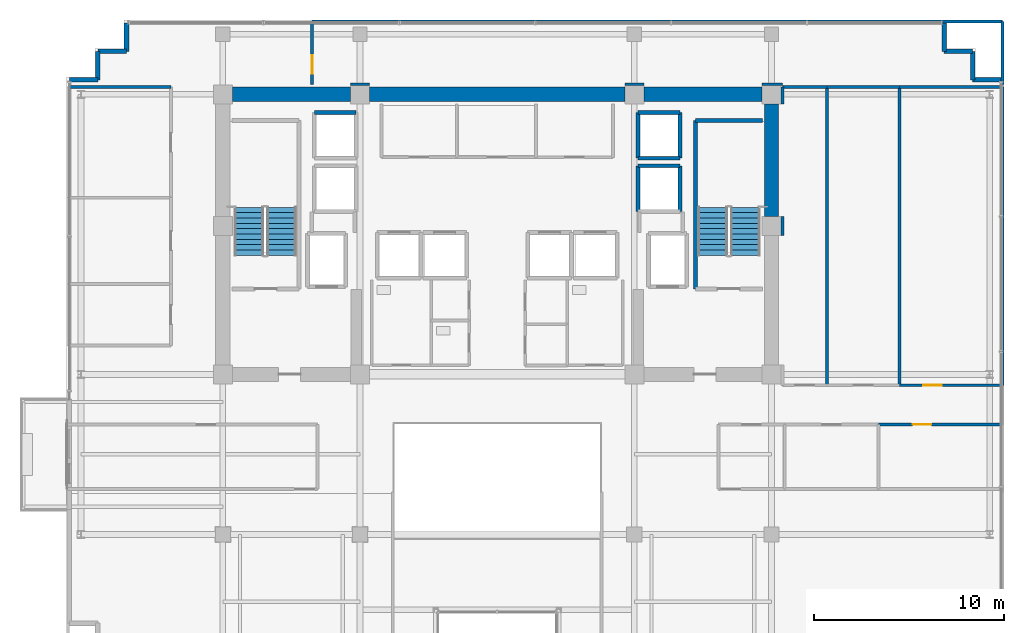
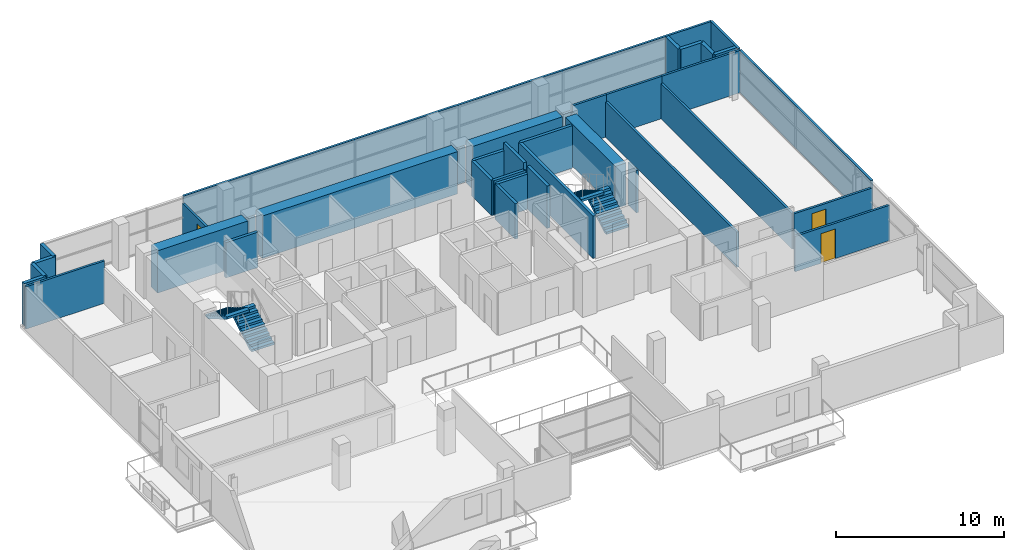
# One storey, part 18 of 22: 39 walls, 4 stair flights, 3 doors, 3 openings, 2 elements without a shape of their own.
"""IFC4 building model written with IfcOpenShell, lengths in metres."""

from ifc_helpers import new_model, si_unit, direction, frame, frame_2d, origin, place, context, subcontext, project, spatial, polyline, rectangle, outline, extrude, source, transform, mapped, material, layer, layer_set, type_object, element, fill, aggregate, save


model = new_model("IFC4")

# Units and contexts
model_context = context("Model", 3, precision=1e-05, world=origin(), true_north=direction((0.0, 1.0)))
body_context = subcontext(model_context, "Body", "Model", "MODEL_VIEW")
ifc_project = project(units=[si_unit("LENGTHUNIT", "METRE"), si_unit("AREAUNIT", "SQUARE_METRE"), si_unit("VOLUMEUNIT", "CUBIC_METRE"), si_unit("PLANEANGLEUNIT", "RADIAN"), si_unit("MASSUNIT", "GRAM", prefix="KILO")], contexts=[model_context])

# Site, building, storey
site_placement = place(None, origin())
site = spatial("IfcSite", under=ifc_project, at=site_placement, CompositionType="ELEMENT")
building_placement = place(site_placement, origin())
building = spatial("IfcBuilding", under=site, at=building_placement, Name="Zarnakvel Exchange Tower", CompositionType="ELEMENT")
storey_placement = place(building_placement, frame((0.0, 0.0, 192.39990234375)))
storey = spatial("IfcBuildingStorey", under=building, at=storey_placement, Name="L54", CompositionType="ELEMENT", Elevation=192.39990234375)

# Walls
ifc_material_1 = material(Name="Concrete C60/75", Category="concrete")
ifc_layer_1 = layer(ifc_material_1, 0.75)
ifc_layer_set_1 = layer_set([ifc_layer_1], Name="Concrete C60/75")
wall_type_1 = type_object("IfcWallType", Name="CW-C3", PredefinedType="SHEAR", material=ifc_layer_set_1)
wall_1_placement = place(storey_placement, frame((-13.89990234375, 13.5, 0.0), z_axis=(0.0, 0.0, 1.0), x_axis=(1.0, 0.0, 0.0)))
element("IfcWall", 1, at=wall_1_placement, inside=storey, type_object=wall_type_1, Name="L54 Rear Core Shear Wall N1 (CW-C3)", PredefinedType="SHEAR", context=body_context, shape_type="SweptSolid", body=[
    extrude(rectangle(XDim=6.199951171875, YDim=0.75, at=frame_2d((3.10009765625, 0.0))), origin(), (0.0, 0.0, 1.0), 3.0751953125),
])
wall_2_placement = place(storey_placement, frame((-6.699951171875, 13.5, 0.0), z_axis=(0.0, 0.0, 1.0), x_axis=(1.0, 0.0, 0.0)))
element("IfcWall", 2, at=wall_2_placement, inside=storey, type_object=wall_type_1, Name="L54 Rear Core Shear Wall N2 (CW-C3)", PredefinedType="SHEAR", context=body_context, shape_type="SweptSolid", body=[
    extrude(rectangle(XDim=13.39990234375, YDim=0.75, at=frame_2d((6.699951171875, 0.0))), origin(), (0.0, 0.0, 1.0), 3.0751953125),
])
wall_3_placement = place(storey_placement, frame((7.699951171875, 13.5, 0.0), z_axis=(0.0, 0.0, 1.0), x_axis=(1.0, 0.0, 0.0)))
element("IfcWall", 3, at=wall_3_placement, inside=storey, type_object=wall_type_1, Name="L54 Rear Core Shear Wall N3 (CW-C3)", PredefinedType="SHEAR", context=body_context, shape_type="SweptSolid", body=[
    extrude(rectangle(XDim=6.199951171875, YDim=0.75, at=frame_2d((3.10009765625, 0.0))), origin(), (0.0, 0.0, 1.0), 3.0751953125),
])
wall_4_placement = place(storey_placement, frame((14.39990234375, 7.10009765625, 0.0), z_axis=(0.0, 0.0, 1.0), x_axis=(0.0, 1.0, 0.0)))
element("IfcWall", 4, at=wall_4_placement, inside=storey, type_object=wall_type_1, Name="L54 Rear Core Shear Wall E2 (CW-C3)", PredefinedType="SHEAR", context=body_context, shape_type="SweptSolid", body=[
    extrude(rectangle(XDim=5.89990234375, YDim=0.75, at=frame_2d((2.949951171875, 0.0))), origin(), (0.0, 0.0, 1.0), 3.0751953125),
])
ifc_material_2 = material(Name="Precast concrete C40/50", Category="concrete")
ifc_layer_2 = layer(ifc_material_2, 0.239990234375)
ifc_layer_set_2 = layer_set([ifc_layer_2], Name="Precast concrete C40/50")
wall_type_2 = type_object("IfcWallType", Name="EW-02", PredefinedType="SOLIDWALL", material=ifc_layer_set_2)
for number, where, z_axis, x_axis, name in (
    (5, (-20.9599609375, 14.260009765625, 0.0), (0.0, 0.0, 1.0), (-1.0, 0.0, 0.0), "L54 Exterior Precast Spandrel Wall EWC-L54-03 (EW-02)"),
    (6, (-20.9599609375, 15.760009765625, 0.0), (0.0, 0.0, 1.0), (0.0, -1.0, 0.0), "L54 Exterior Precast Spandrel Wall EWC-L54-04 (EW-02)"),
    (7, (-19.4599609375, 15.760009765625, 0.0), (0.0, 0.0, 1.0), (-1.0, 0.0, 0.0), "L54 Exterior Precast Spandrel Wall EWC-L54-05 (EW-02)"),
    (8, (-19.4599609375, 17.260009765625, 0.0), (0.0, 0.0, 1.0), (0.0, -1.0, 0.0), "L54 Exterior Precast Spandrel Wall EWC-L54-06 (EW-02)"),
    (9, (23.4599609375, 15.760009765625, 0.0), (0.0, 0.0, 1.0), (0.0, 1.0, 0.0), "L54 Exterior Precast Spandrel Wall EWC-L54-07 (EW-02)"),
    (10, (24.9599609375, 15.760009765625, 0.0), (0.0, 0.0, 1.0), (-1.0, 0.0, 0.0), "L54 Exterior Precast Spandrel Wall EWC-L54-08 (EW-02)"),
    (11, (24.9599609375, 14.260009765625, 0.0), (0.0, 0.0, 1.0), (0.0, 1.0, 0.0), "L54 Exterior Precast Spandrel Wall EWC-L54-09 (EW-02)"),
    (12, (26.4599609375, 14.260009765625, 0.0), (0.0, 0.0, 1.0), (-1.0, 0.0, 0.0), "L54 Exterior Precast Spandrel Wall EWC-L54-10 (EW-02)"),
):
    element("IfcWall", number, at=place(storey_placement, frame(where, z_axis=z_axis, x_axis=x_axis)), inside=storey, type_object=wall_type_2, Name=name, PredefinedType="SOLIDWALL", context=body_context, shape_type="SweptSolid", body=[
        extrude(rectangle(XDim=1.5, YDim=0.239990234375, at=frame_2d((0.75, 0.0))), origin(), (0.0, 0.0, 1.0), 3.0751953125),
    ])

# Wall, opening, door
ifc_material_3 = material(Name="Fire-Rated Gypsum Stud Partition", Category="gypsum")
ifc_layer_3 = layer(ifc_material_3, 0.14990234375)
ifc_layer_set_3 = layer_set([ifc_layer_3], Name="Fire-Rated Gypsum Stud Partition")
wall_type_3 = type_object("IfcWallType", Name="PT-01", PredefinedType="PARTITIONING", material=ifc_layer_set_3)
wall_5_placement = place(storey_placement, frame((20.01708984375, -3.830078125, 0.0), z_axis=(0.0, 0.0, 1.0), x_axis=(1.0, 0.0, 0.0)))
wall_5 = element("IfcWall", 13, at=wall_5_placement, inside=storey, type_object=wall_type_3, Name="L54 Partition Wall PWALL-L54-048 (PT-01)", PredefinedType="PARTITIONING", context=body_context, shape_type="SweptSolid", body=[
    extrude(rectangle(XDim=6.512939453125, YDim=0.14990234375, at=frame_2d((3.25634765625, 0.0))), origin(), (0.0, 0.0, 1.0), 2.565185546875),
])
opening_1_placement = place(wall_5_placement, frame((1.7919921875, 0.0, 0.0)))
opening_1 = element("IfcOpeningElement", 14, at=opening_1_placement, cuts=wall_5, Name="Opening D-L54-18", PredefinedType="OPENING", context=body_context, shape_type="SweptSolid", body=[
    extrude(rectangle(XDim=0.97998046875, YDim=2.14990234375, at=frame_2d((0.489990234375, 1.074951171875))), frame((0.0, 0.0849609375, 0.0), z_axis=(0.0, -1.0, 0.0), x_axis=(1.0, 0.0, 0.0)), (0.0, 0.0, 1.0), 0.169921875),
])
ifc_material_4 = material(Name="Timber Acoustic Veneer", Category="wood")
door_type = type_object("IfcDoorType", Name="DT-05", OperationType="NOTDEFINED", PredefinedType="DOOR", material=ifc_material_4)
shared_shape = source(origin(), body_context, "Body", "SweptSolid", [
    extrude(rectangle(XDim=0.97998046875, YDim=2.14990234375, at=frame_2d((0.489990234375, 1.074951171875))), frame((0.0, 0.02490234375, 0.0), z_axis=(0.0, -1.0, 0.0), x_axis=(1.0, 0.0, 0.0)), (0.0, 0.0, 1.0), 0.050048828125),
])
door_1_placement = place(opening_1_placement, origin())
door_1 = element("IfcDoor", 15, at=door_1_placement, inside=storey, type_object=door_type, Name="L54 Legal Records Office Door D-L54-18", OperationType="SINGLE_SWING_LEFT", OverallHeight=2.14990234375, OverallWidth=0.97998046875, PredefinedType="DOOR", context=body_context, shape_type="MappedRepresentation", body=[
    mapped(shared_shape, transform((0.0, 0.0, 0.0), x_axis=(1.0, 0.0, 0.0), y_axis=(0.0, 1.0, 0.0), z_axis=(0.0, 0.0, 1.0), scale=1.0)),
])
fill(opening_1, door_1)

# Walls
wall_6_placement = place(storey_placement, frame((-22.530029296875, 13.8798828125, 0.0), z_axis=(0.0, 0.0, 1.0), x_axis=(1.0, 0.0, 0.0)))
element("IfcWall", 16, at=wall_6_placement, inside=storey, type_object=wall_type_3, Name="L54 Partition Wall PWALL-L54-060 (PT-01)", PredefinedType="PARTITIONING", context=body_context, shape_type="SweptSolid", body=[
    extrude(rectangle(XDim=5.400146484375, YDim=0.14990234375, at=frame_2d((2.7001953125, 0.0))), origin(), (0.0, 0.0, 1.0), 3.0751953125),
])
wall_7_placement = place(storey_placement, frame((14.969970703125, 13.8798828125, 0.0), z_axis=(0.0, 0.0, 1.0), x_axis=(1.0, 0.0, 0.0)))
element("IfcWall", 17, at=wall_7_placement, inside=storey, type_object=wall_type_3, Name="L54 Partition Wall PWALL-L54-064 (PT-01)", PredefinedType="PARTITIONING", context=body_context, shape_type="SweptSolid", body=[
    extrude(rectangle(XDim=2.346923828125, YDim=0.14990234375, at=frame_2d((1.17333984375, 0.0))), origin(), (0.0, 0.0, 1.0), 3.0751953125),
])
wall_8_placement = place(storey_placement, frame((14.969970703125, 6.10009765625, 0.0), z_axis=(0.0, 0.0, 1.0), x_axis=(0.0, 1.0, 0.0)))
element("IfcWall", 18, at=wall_8_placement, inside=storey, type_object=wall_type_3, Name="L54 Partition Wall PWALL-L54-066 (PT-01)", PredefinedType="PARTITIONING", context=body_context, shape_type="SweptSolid", body=[
    extrude(rectangle(XDim=1.0, YDim=0.14990234375, at=frame_2d((0.5, 0.0))), origin(), (0.0, 0.0, 1.0), 3.0751953125),
])
wall_9_placement = place(storey_placement, frame((14.969970703125, 13.0, 0.0), z_axis=(0.0, 0.0, 1.0), x_axis=(0.0, 1.0, 0.0)))
element("IfcWall", 19, at=wall_9_placement, inside=storey, type_object=wall_type_3, Name="L54 Partition Wall PWALL-L54-067 (PT-01)", PredefinedType="PARTITIONING", context=body_context, shape_type="SweptSolid", body=[
    extrude(rectangle(XDim=0.8798828125, YDim=0.14990234375, at=frame_2d((0.43994140625, 0.0))), origin(), (0.0, 0.0, 1.0), 2.565185546875),
])
wall_10_placement = place(storey_placement, frame((17.31689453125, 13.8798828125, 0.0), z_axis=(0.0, 0.0, 1.0), x_axis=(0.0, -1.0, 0.0)))
element("IfcWall", 20, at=wall_10_placement, inside=storey, type_object=wall_type_3, Name="L54 Partition Wall PWALL-L54-068 (PT-01)", PredefinedType="PARTITIONING", context=body_context, shape_type="SweptSolid", body=[
    extrude(rectangle(XDim=15.64990234375, YDim=0.14990234375, at=frame_2d((7.824951171875, 0.0))), origin(), (0.0, 0.0, 1.0), 2.565185546875),
])
wall_11_placement = place(storey_placement, frame((17.31689453125, 13.8798828125, 0.0), z_axis=(0.0, 0.0, 1.0), x_axis=(1.0, 0.0, 0.0)))
element("IfcWall", 21, at=wall_11_placement, inside=storey, type_object=wall_type_3, Name="L54 Partition Wall PWALL-L54-070 (PT-01)", PredefinedType="PARTITIONING", context=body_context, shape_type="SweptSolid", body=[
    extrude(rectangle(XDim=3.8046875, YDim=0.14990234375, at=frame_2d((1.90234375, 0.0))), origin(), (0.0, 0.0, 1.0), 3.0751953125),
])
wall_12_placement = place(storey_placement, frame((21.12158203125, 13.8798828125, 0.0), z_axis=(0.0, 0.0, 1.0), x_axis=(0.0, -1.0, 0.0)))
element("IfcWall", 22, at=wall_12_placement, inside=storey, type_object=wall_type_3, Name="L54 Partition Wall PWALL-L54-071 (PT-01)", PredefinedType="PARTITIONING", context=body_context, shape_type="SweptSolid", body=[
    extrude(rectangle(XDim=15.64990234375, YDim=0.14990234375, at=frame_2d((7.824951171875, 0.0))), origin(), (0.0, 0.0, 1.0), 2.565185546875),
])

# Wall, opening, door
wall_13_placement = place(storey_placement, frame((26.530029296875, -1.77001953125, 0.0), z_axis=(0.0, 0.0, 1.0), x_axis=(-1.0, 0.0, 0.0)))
wall_13 = element("IfcWall", 23, at=wall_13_placement, inside=storey, type_object=wall_type_3, Name="L54 Partition Wall PWALL-L54-072 (PT-01)", PredefinedType="PARTITIONING", context=body_context, shape_type="SweptSolid", body=[
    extrude(rectangle(XDim=5.408447265625, YDim=0.14990234375, at=frame_2d((2.7041015625, 0.0))), origin(), (0.0, 0.0, 1.0), 2.565185546875),
])
opening_2_placement = place(wall_13_placement, frame((3.18896484375, 0.0, 0.0)))
opening_2 = element("IfcOpeningElement", 24, at=opening_2_placement, cuts=wall_13, Name="Opening D-L54-25", PredefinedType="OPENING", context=body_context, shape_type="SweptSolid", body=[
    extrude(rectangle(XDim=0.97998046875, YDim=2.14990234375, at=frame_2d((0.489990234375, 1.074951171875))), frame((0.0, 0.0849609375, 0.0), z_axis=(0.0, -1.0, 0.0), x_axis=(1.0, 0.0, 0.0)), (0.0, 0.0, 1.0), 0.169921875),
])
door_2_placement = place(opening_2_placement, origin())
door_2 = element("IfcDoor", 25, at=door_2_placement, inside=storey, type_object=door_type, Name="L54 Client Advisory Suite Door D-L54-25", OperationType="SINGLE_SWING_RIGHT", OverallHeight=2.14990234375, OverallWidth=0.97998046875, PredefinedType="DOOR", context=body_context, shape_type="MappedRepresentation", body=[
    mapped(shared_shape, transform((0.0, 0.0, 0.0), x_axis=(1.0, 0.0, 0.0), y_axis=(0.0, 1.0, 0.0), z_axis=(0.0, 0.0, 1.0), scale=1.0)),
])
fill(opening_2, door_2)

# Walls
wall_14_placement = place(storey_placement, frame((21.12158203125, 13.8798828125, 0.0), z_axis=(0.0, 0.0, 1.0), x_axis=(1.0, 0.0, 0.0)))
element("IfcWall", 26, at=wall_14_placement, inside=storey, type_object=wall_type_3, Name="L54 Partition Wall PWALL-L54-073 (PT-01)", PredefinedType="PARTITIONING", context=body_context, shape_type="SweptSolid", body=[
    extrude(rectangle(XDim=5.408447265625, YDim=0.14990234375, at=frame_2d((2.7041015625, 0.0))), origin(), (0.0, 0.0, 1.0), 3.0751953125),
])
wall_15_placement = place(storey_placement, frame((26.530029296875, 13.8798828125, 0.0), z_axis=(0.0, 0.0, 1.0), x_axis=(0.0, -1.0, 0.0)))
element("IfcWall", 27, at=wall_15_placement, inside=storey, type_object=wall_type_3, Name="L54 Partition Wall PWALL-L54-074 (PT-01)", PredefinedType="PARTITIONING", context=body_context, shape_type="SweptSolid", body=[
    extrude(rectangle(XDim=15.64990234375, YDim=0.14990234375, at=frame_2d((7.824951171875, 0.0))), origin(), (0.0, 0.0, 1.0), 3.0751953125),
])
for number, where, z_axis, x_axis, name in (
    (28, (-6.699951171875, 14.030029296875, 0.0), (0.0, 0.0, 1.0), (-1.0, 0.0, 0.0), "L54 Partition Wall PWALL-L54-075 (PT-01)"),
    (29, (7.699951171875, 14.030029296875, 0.0), (0.0, 0.0, 1.0), (-1.0, 0.0, 0.0), "L54 Partition Wall PWALL-L54-076 (PT-01)"),
):
    element("IfcWall", number, at=place(storey_placement, frame(where, z_axis=z_axis, x_axis=x_axis)), inside=storey, type_object=wall_type_3, Name=name, PredefinedType="PARTITIONING", context=body_context, shape_type="SweptSolid", body=[
        extrude(rectangle(XDim=1.0, YDim=0.14990234375, at=frame_2d((0.5, 0.0))), origin(), (0.0, 0.0, 1.0), 2.565185546875),
    ])
wall_16_placement = place(storey_placement, frame((14.969970703125, 14.030029296875, 0.0), z_axis=(0.0, 0.0, 1.0), x_axis=(-1.0, 0.0, 0.0)))
element("IfcWall", 30, at=wall_16_placement, inside=storey, type_object=wall_type_3, Name="L54 Partition Wall PWALL-L54-077 (PT-01)", PredefinedType="PARTITIONING", context=body_context, shape_type="SweptSolid", body=[
    extrude(rectangle(XDim=1.070068359375, YDim=0.14990234375, at=frame_2d((0.53515625, 0.0))), origin(), (0.0, 0.0, 1.0), 2.565185546875),
])
wall_17_placement = place(storey_placement, frame((-9.719970703125, 17.330078125, 0.0), z_axis=(0.0, 0.0, 1.0), x_axis=(1.0, 0.0, 0.0)))
element("IfcWall", 31, at=wall_17_placement, inside=storey, type_object=wall_type_3, Name="L54 Partition Wall PWALL-L54-078 (PT-01)", PredefinedType="PARTITIONING", context=body_context, shape_type="SweptSolid", body=[
    extrude(rectangle(XDim=36.25, YDim=0.14990234375, at=frame_2d((18.125, 0.0))), origin(), (0.0, 0.0, 1.0), 3.0751953125),
])

# Wall, opening, door
wall_18_placement = place(storey_placement, frame((-9.719970703125, 14.030029296875, 0.0), z_axis=(0.0, 0.0, 1.0), x_axis=(0.0, 1.0, 0.0)))
wall_18 = element("IfcWall", 32, at=wall_18_placement, inside=storey, type_object=wall_type_3, Name="L54 Partition Wall PWALL-L54-079 (PT-01)", PredefinedType="PARTITIONING", context=body_context, shape_type="SweptSolid", body=[
    extrude(rectangle(XDim=3.300048828125, YDim=0.14990234375, at=frame_2d((1.64990234375, 0.0))), origin(), (0.0, 0.0, 1.0), 2.565185546875),
])
opening_3_placement = place(wall_18_placement, frame((0.550048828125, 0.0, 0.0)))
opening_3 = element("IfcOpeningElement", 33, at=opening_3_placement, cuts=wall_18, Name="Opening D-L54-26", PredefinedType="OPENING", context=body_context, shape_type="SweptSolid", body=[
    extrude(rectangle(XDim=0.97998046875, YDim=2.14990234375, at=frame_2d((0.489990234375, 1.074951171875))), frame((0.0, 0.0849609375, 0.0), z_axis=(0.0, -1.0, 0.0), x_axis=(1.0, 0.0, 0.0)), (0.0, 0.0, 1.0), 0.169921875),
])
door_3_placement = place(opening_3_placement, origin())
door_3 = element("IfcDoor", 34, at=door_3_placement, inside=storey, type_object=door_type, Name="L54 Legal Records Office Door D-L54-26", OperationType="SINGLE_SWING_LEFT", OverallHeight=2.14990234375, OverallWidth=0.97998046875, PredefinedType="DOOR", context=body_context, shape_type="MappedRepresentation", body=[
    mapped(shared_shape, transform((0.0, 0.0, 0.0), x_axis=(1.0, 0.0, 0.0), y_axis=(0.0, 1.0, 0.0), z_axis=(0.0, 0.0, 1.0), scale=1.0)),
])
fill(opening_3, door_3)

# Walls
wall_19_placement = place(storey_placement, frame((26.530029296875, 17.330078125, 0.0), z_axis=(0.0, 0.0, 1.0), x_axis=(0.0, -1.0, 0.0)))
element("IfcWall", 35, at=wall_19_placement, inside=storey, type_object=wall_type_3, Name="L54 Partition Wall PWALL-L54-080 (PT-01)", PredefinedType="PARTITIONING", context=body_context, shape_type="SweptSolid", body=[
    extrude(rectangle(XDim=3.300048828125, YDim=0.14990234375, at=frame_2d((1.64990234375, 0.0))), origin(), (0.0, 0.0, 1.0), 3.0751953125),
])
ifc_material_5 = material(Name="Concrete C40/50", Category="concrete")
ifc_layer_4 = layer(ifc_material_5, 0.199951171875)
ifc_layer_set_4 = layer_set([ifc_layer_4], Name="Concrete C40/50")
wall_type_4 = type_object("IfcWallType", Name="SW-01", PredefinedType="SOLIDWALL", material=ifc_layer_set_4)
for number, where, z_axis, x_axis, name in (
    (36, (-9.60009765625, 12.550048828125, 0.0), (0.0, 0.0, 1.0), (1.0, 0.0, 0.0), "L54 PL-10 Hoistway Wall North"),
    (37, (7.39990234375, 9.75, 0.0), (0.0, 0.0, 1.0), (1.0, 0.0, 0.0), "L54 PL-11 Hoistway Wall North"),
):
    element("IfcWall", number, at=place(storey_placement, frame(where, z_axis=z_axis, x_axis=x_axis)), inside=storey, type_object=wall_type_4, Name=name, PredefinedType="SOLIDWALL", context=body_context, shape_type="SweptSolid", body=[
        extrude(rectangle(XDim=2.2001953125, YDim=0.199951171875, at=frame_2d((1.10009765625, 0.0))), origin(), (0.0, 0.0, 1.0), 2.565185546875),
    ])
wall_20_placement = place(storey_placement, frame((7.39990234375, 7.35009765625, 0.0), z_axis=(0.0, 0.0, 1.0), x_axis=(0.0, 1.0, 0.0)))
element("IfcWall", 38, at=wall_20_placement, inside=storey, type_object=wall_type_4, Name="L54 PL-11 Hoistway Wall West", PredefinedType="SOLIDWALL", context=body_context, shape_type="SweptSolid", body=[
    extrude(rectangle(XDim=2.39990234375, YDim=0.199951171875, at=frame_2d((1.199951171875, 0.0))), origin(), (0.0, 0.0, 1.0), 2.565185546875),
])
wall_21_placement = place(storey_placement, frame((9.60009765625, 9.75, 0.0), z_axis=(0.0, 0.0, 1.0), x_axis=(0.0, -1.0, 0.0)))
element("IfcWall", 39, at=wall_21_placement, inside=storey, type_object=wall_type_4, Name="L54 PL-11 Hoistway Wall East", PredefinedType="SOLIDWALL", context=body_context, shape_type="SweptSolid", body=[
    extrude(rectangle(XDim=2.39990234375, YDim=0.199951171875, at=frame_2d((1.199951171875, 0.0))), origin(), (0.0, 0.0, 1.0), 3.0751953125),
])
for number, where, z_axis, x_axis, name in (
    (40, (9.60009765625, 10.14990234375, 0.0), (0.0, 0.0, 1.0), (-1.0, 0.0, 0.0), "L54 PL-12 Hoistway Wall South"),
    (41, (7.39990234375, 12.550048828125, 0.0), (0.0, 0.0, 1.0), (1.0, 0.0, 0.0), "L54 PL-12 Hoistway Wall North"),
):
    element("IfcWall", number, at=place(storey_placement, frame(where, z_axis=z_axis, x_axis=x_axis)), inside=storey, type_object=wall_type_4, Name=name, PredefinedType="SOLIDWALL", context=body_context, shape_type="SweptSolid", body=[
        extrude(rectangle(XDim=2.2001953125, YDim=0.199951171875, at=frame_2d((1.10009765625, 0.0))), origin(), (0.0, 0.0, 1.0), 2.565185546875),
    ])
wall_22_placement = place(storey_placement, frame((7.39990234375, 10.14990234375, 0.0), z_axis=(0.0, 0.0, 1.0), x_axis=(0.0, 1.0, 0.0)))
element("IfcWall", 42, at=wall_22_placement, inside=storey, type_object=wall_type_4, Name="L54 PL-12 Hoistway Wall West", PredefinedType="SOLIDWALL", context=body_context, shape_type="SweptSolid", body=[
    extrude(rectangle(XDim=2.400146484375, YDim=0.199951171875, at=frame_2d((1.2001953125, 0.0))), origin(), (0.0, 0.0, 1.0), 2.565185546875),
])
wall_23_placement = place(storey_placement, frame((9.60009765625, 12.550048828125, 0.0), z_axis=(0.0, 0.0, 1.0), x_axis=(0.0, -1.0, 0.0)))
element("IfcWall", 43, at=wall_23_placement, inside=storey, type_object=wall_type_4, Name="L54 PL-12 Hoistway Wall East", PredefinedType="SOLIDWALL", context=body_context, shape_type="SweptSolid", body=[
    extrude(rectangle(XDim=2.400146484375, YDim=0.199951171875, at=frame_2d((1.2001953125, 0.0))), origin(), (0.0, 0.0, 1.0), 3.0751953125),
])
ifc_layer_5 = layer(ifc_material_5, 0.199951171875)
ifc_layer_set_5 = layer_set([ifc_layer_5], Name="Concrete C40/50")
wall_type_5 = type_object("IfcWallType", Name="SW-02", PredefinedType="SOLIDWALL", material=ifc_layer_set_5)
wall_24_placement = place(storey_placement, frame((10.409912109375, 12.1298828125, 0.0), z_axis=(0.0, 0.0, 1.0), x_axis=(1.0, 0.0, 0.0)))
element("IfcWall", 44, at=wall_24_placement, inside=storey, type_object=wall_type_5, Name="L54 Stairwell Core Wall PWALL-L54-005 (SW-02)", PredefinedType="SOLIDWALL", context=body_context, shape_type="SweptSolid", body=[
    extrude(rectangle(XDim=3.52001953125, YDim=0.199951171875, at=frame_2d((1.760009765625, 0.0))), origin(), (0.0, 0.0, 1.0), 3.0751953125),
])
wall_25_placement = place(storey_placement, frame((10.409912109375, 3.2900390625, 0.0), z_axis=(0.0, 0.0, 1.0), x_axis=(0.0, 1.0, 0.0)))
element("IfcWall", 45, at=wall_25_placement, inside=storey, type_object=wall_type_5, Name="L54 Stairwell Core Wall PWALL-L54-006 (SW-02)", PredefinedType="SOLIDWALL", context=body_context, shape_type="SweptSolid", body=[
    extrude(rectangle(XDim=8.83984375, YDim=0.199951171875, at=frame_2d((4.419921875, 0.0))), origin(), (0.0, 0.0, 1.0), 3.0751953125),
])

# Stair, stair flights
stair_type = type_object("IfcStairType", Name="STR-01", PredefinedType="HALF_TURN_STAIR", material=ifc_material_5)
stair_1_placement = place(storey_placement, origin())
stair_1 = element("IfcStair", 46, at=stair_1_placement, inside=storey, type_object=stair_type, Name="L54 Protected Core Exit Stair ST-01", PredefinedType="HALF_TURN_STAIR")
stair_flight_type = type_object("IfcStairFlightType", Name="FLT-01", PredefinedType="STRAIGHT", material=ifc_material_5)
stair_flight_1_placement = place(storey_placement, frame((-11.31494140625, 5.050048828125, 0.0), z_axis=(0.0, 0.0, 1.0), x_axis=(0.0, 1.0, 0.0)))
stair_flight_1 = element("IfcStairFlight", 47, at=stair_flight_1_placement, type_object=stair_flight_type, Name="ST-01 flight 1", NumberOfRisers=10, NumberOfTreads=9, PredefinedType="STRAIGHT", RiserHeight=0.165, TreadLength=0.28, context=body_context, shape_type="SweptSolid", body=[
    extrude(outline(polyline([(0.0, 0.0), (0.0, 0.1650390625), (0.280029296875, 0.1650390625), (0.280029296875, 0.330078125), (0.56005859375, 0.330078125), (0.56005859375, 0.4951171875), (0.840087890625, 0.4951171875), (0.840087890625, 0.659912109375), (1.1201171875, 0.659912109375), (1.1201171875, 0.824951171875), (1.39990234375, 0.824951171875), (1.39990234375, 0.989990234375), (1.679931640625, 0.989990234375), (1.679931640625, 1.155029296875), (1.9599609375, 1.155029296875), (1.9599609375, 1.320068359375), (2.239990234375, 1.320068359375), (2.239990234375, 1.485107421875), (2.52001953125, 1.485107421875), (2.52001953125, 1.64990234375), (2.52001953125, 1.31103515625), (0.295166015625, 0.0), (0.0, 0.0)])), frame((0.0, 0.77490234375, 0.0), z_axis=(0.0, -1.0, 0.0), x_axis=(1.0, 0.0, 0.0)), (0.0, 0.0, 1.0), 1.550048828125),
])
stair_flight_2_placement = place(storey_placement, frame((-13.02490234375, 7.570068359375, 1.650146484375), z_axis=(0.0, 0.0, 1.0), x_axis=(0.0, -1.0, 0.0)))
stair_flight_2 = element("IfcStairFlight", 48, at=stair_flight_2_placement, type_object=stair_flight_type, Name="ST-01 flight 2", NumberOfRisers=10, NumberOfTreads=9, PredefinedType="STRAIGHT", RiserHeight=0.165, TreadLength=0.28, context=body_context, shape_type="SweptSolid", body=[
    extrude(outline(polyline([(0.0, 0.0), (0.0, 0.1650390625), (0.280029296875, 0.1650390625), (0.280029296875, 0.330078125), (0.56005859375, 0.330078125), (0.56005859375, 0.4951171875), (0.840087890625, 0.4951171875), (0.840087890625, 0.659912109375), (1.1201171875, 0.659912109375), (1.1201171875, 0.824951171875), (1.39990234375, 0.824951171875), (1.39990234375, 0.989990234375), (1.679931640625, 0.989990234375), (1.679931640625, 1.155029296875), (1.9599609375, 1.155029296875), (1.9599609375, 1.320068359375), (2.239990234375, 1.320068359375), (2.239990234375, 1.485107421875), (2.52001953125, 1.485107421875), (2.52001953125, 1.64990234375), (2.52001953125, 1.31103515625), (0.295166015625, 0.0), (0.0, 0.0)])), frame((0.0, 0.77490234375, 0.0), z_axis=(0.0, -1.0, 0.0), x_axis=(1.0, 0.0, 0.0)), (0.0, 0.0, 1.0), 1.550048828125),
])
aggregate(stair_1, [stair_flight_1, stair_flight_2])

stair_2_placement = place(storey_placement, origin())
stair_2 = element("IfcStair", 49, at=stair_2_placement, inside=storey, type_object=stair_type, Name="L54 Protected Core Exit Stair ST-02", PredefinedType="HALF_TURN_STAIR")
stair_flight_3_placement = place(storey_placement, frame((13.02490234375, 5.050048828125, 0.0), z_axis=(0.0, 0.0, 1.0), x_axis=(0.0, 1.0, 0.0)))
stair_flight_3 = element("IfcStairFlight", 50, at=stair_flight_3_placement, type_object=stair_flight_type, Name="ST-02 flight 1", NumberOfRisers=10, NumberOfTreads=9, PredefinedType="STRAIGHT", RiserHeight=0.165, TreadLength=0.28, context=body_context, shape_type="SweptSolid", body=[
    extrude(outline(polyline([(0.0, 0.0), (0.0, 0.1650390625), (0.280029296875, 0.1650390625), (0.280029296875, 0.330078125), (0.56005859375, 0.330078125), (0.56005859375, 0.4951171875), (0.840087890625, 0.4951171875), (0.840087890625, 0.659912109375), (1.1201171875, 0.659912109375), (1.1201171875, 0.824951171875), (1.39990234375, 0.824951171875), (1.39990234375, 0.989990234375), (1.679931640625, 0.989990234375), (1.679931640625, 1.155029296875), (1.9599609375, 1.155029296875), (1.9599609375, 1.320068359375), (2.239990234375, 1.320068359375), (2.239990234375, 1.485107421875), (2.52001953125, 1.485107421875), (2.52001953125, 1.64990234375), (2.52001953125, 1.31103515625), (0.295166015625, 0.0), (0.0, 0.0)])), frame((0.0, 0.77490234375, 0.0), z_axis=(0.0, -1.0, 0.0), x_axis=(1.0, 0.0, 0.0)), (0.0, 0.0, 1.0), 1.550048828125),
])
stair_flight_4_placement = place(storey_placement, frame((11.31494140625, 7.570068359375, 1.650146484375), z_axis=(0.0, 0.0, 1.0), x_axis=(0.0, -1.0, 0.0)))
stair_flight_4 = element("IfcStairFlight", 51, at=stair_flight_4_placement, type_object=stair_flight_type, Name="ST-02 flight 2", NumberOfRisers=10, NumberOfTreads=9, PredefinedType="STRAIGHT", RiserHeight=0.165, TreadLength=0.28, context=body_context, shape_type="SweptSolid", body=[
    extrude(outline(polyline([(0.0, 0.0), (0.0, 0.1650390625), (0.280029296875, 0.1650390625), (0.280029296875, 0.330078125), (0.56005859375, 0.330078125), (0.56005859375, 0.4951171875), (0.840087890625, 0.4951171875), (0.840087890625, 0.659912109375), (1.1201171875, 0.659912109375), (1.1201171875, 0.824951171875), (1.39990234375, 0.824951171875), (1.39990234375, 0.989990234375), (1.679931640625, 0.989990234375), (1.679931640625, 1.155029296875), (1.9599609375, 1.155029296875), (1.9599609375, 1.320068359375), (2.239990234375, 1.320068359375), (2.239990234375, 1.485107421875), (2.52001953125, 1.485107421875), (2.52001953125, 1.64990234375), (2.52001953125, 1.31103515625), (0.295166015625, 0.0), (0.0, 0.0)])), frame((0.0, 0.77490234375, 0.0), z_axis=(0.0, -1.0, 0.0), x_axis=(1.0, 0.0, 0.0)), (0.0, 0.0, 1.0), 1.550048828125),
])
aggregate(stair_2, [stair_flight_3, stair_flight_4])

save(model, "model.ifc")
